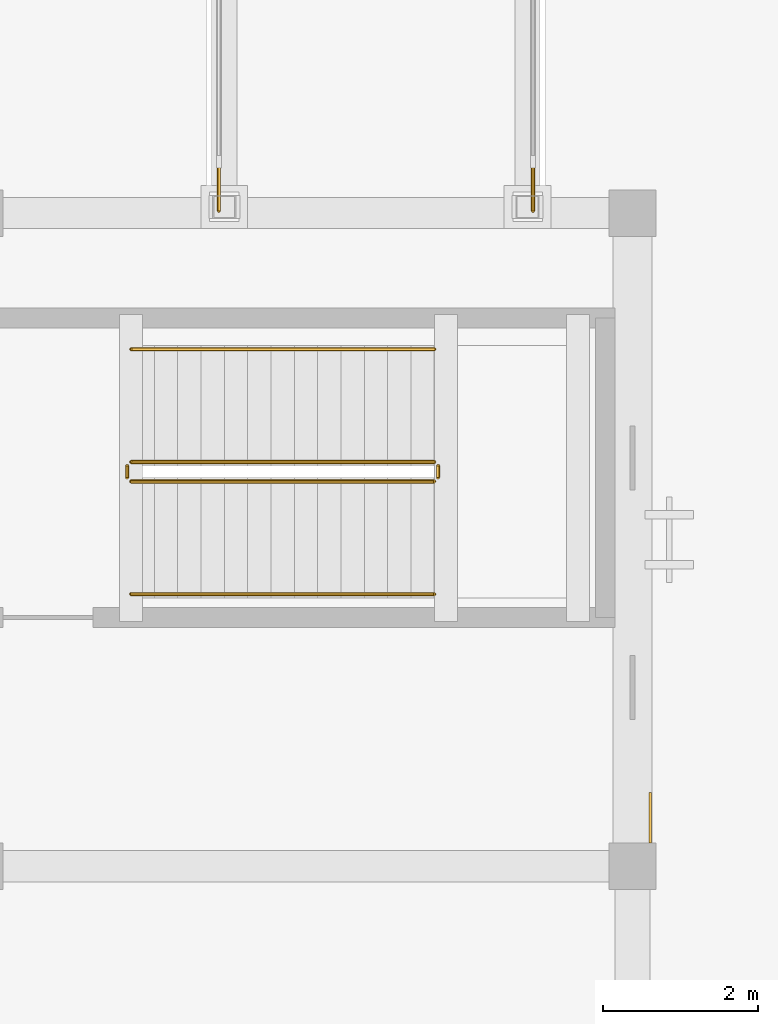
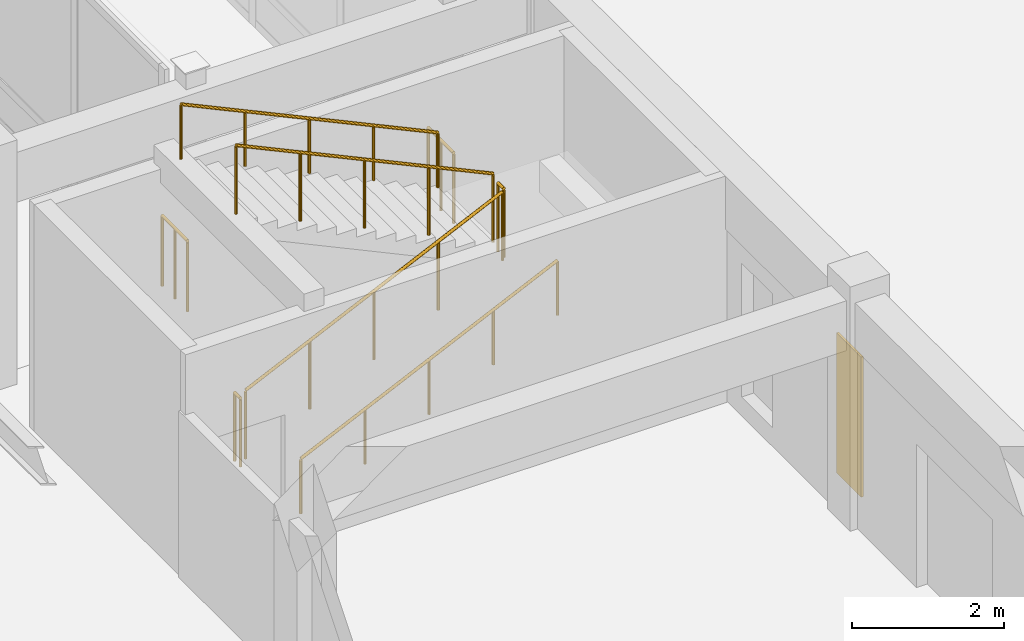
# One storey, part 112 of 135: 8 railings, 1 covering.
"""IFC4 building model written with IfcOpenShell, lengths in metres."""

from ifc_helpers import new_model, si_unit, direction, frame, origin, origin_2d, place, context, subcontext, project, spatial, polyline, circle, outline, extrude, material, layer, layer_set, type_object, element, save


model = new_model("IFC4")

# Units and contexts
model_context = context("Model", 3, precision=1e-05, world=origin(), true_north=direction((0.0, 1.0)))
body_context = subcontext(model_context, "Body", "Model", "MODEL_VIEW")
ifc_project = project(units=[si_unit("LENGTHUNIT", "METRE"), si_unit("AREAUNIT", "SQUARE_METRE"), si_unit("VOLUMEUNIT", "CUBIC_METRE"), si_unit("PLANEANGLEUNIT", "RADIAN"), si_unit("MASSUNIT", "GRAM", prefix="KILO")], contexts=[model_context])

# Site, building, storey
site_placement = place(None, origin())
site = spatial("IfcSite", under=ifc_project, at=site_placement, CompositionType="ELEMENT")
building_placement = place(site_placement, origin())
building = spatial("IfcBuilding", under=site, at=building_placement, Name="Cumbredor Promenade Congress Hotel", CompositionType="ELEMENT")
storey_placement = place(building_placement, origin())
storey = spatial("IfcBuildingStorey", under=building, at=storey_placement, Name="L00", CompositionType="ELEMENT", Elevation=0.0)

# Railings
ifc_material_1 = material(Name="Brushed stainless steel", Category="steel")
railing_type_1 = type_object("IfcRailingType", Name="Interior Void & Stair Guardrail GR-1100", PredefinedType="GUARDRAIL", material=ifc_material_1)
railing_1_placement = place(storey_placement, frame((102.75, 46.949951171875, 0.139892578125)))
element("IfcRailing", 1, at=railing_1_placement, inside=storey, type_object=railing_type_1, Name="L00 ST-12 stair guard 1", PredefinedType="GUARDRAIL", context=body_context, shape_type="SweptSolid", body=[
    extrude(circle(Radius=0.02392578125, at=origin_2d()), frame((0.0, 0.0, 1.09619140625), z_axis=(0.906172994947, 0.0, 0.42290720404), x_axis=(0.0, 1.0, 0.0)), (0.0, 0.0, 1.0), 4.3037109375),
    extrude(circle(Radius=0.02099609375, at=origin_2d()), origin(), (0.0, 0.0, 1.0), 1.072021484375),
    extrude(circle(Radius=0.02099609375, at=origin_2d()), frame((0.97509765625, 0.0, 0.455078125)), (0.0, 0.0, 1.0), 1.072021484375),
    extrude(circle(Radius=0.02099609375, at=origin_2d()), frame((1.949951171875, 0.0, 0.91015625)), (0.0, 0.0, 1.0), 1.072021484375),
    extrude(circle(Radius=0.02099609375, at=origin_2d()), frame((2.9248046875, 0.0, 1.364990234375)), (0.0, 0.0, 1.0), 1.072021484375),
    extrude(circle(Radius=0.02099609375, at=origin_2d()), frame((3.89990234375, 0.0, 1.820068359375)), (0.0, 0.0, 1.0), 1.072021484375),
])
railing_2_placement = place(storey_placement, frame((106.699951171875, 47.0, 1.9599609375)))
element("IfcRailing", 2, at=railing_2_placement, inside=storey, type_object=railing_type_1, Name="L00 ST-12 stair guard 2", PredefinedType="GUARDRAIL", context=body_context, shape_type="SweptSolid", body=[
    extrude(circle(Radius=0.02392578125, at=origin_2d()), frame((0.0, 0.0, 1.09619140625), z_axis=(0.0, 1.0, 0.0), x_axis=(-1.0, 0.0, 0.0)), (0.0, 0.0, 1.0), 0.14990234375),
    extrude(circle(Radius=0.02099609375, at=origin_2d()), origin(), (0.0, 0.0, 1.0), 1.072021484375),
    extrude(circle(Radius=0.02099609375, at=origin_2d()), frame((0.0, 0.14990234375, 0.0)), (0.0, 0.0, 1.0), 1.072021484375),
])
railing_3_placement = place(storey_placement, frame((106.64990234375, 47.199951171875, 2.10009765625)))
element("IfcRailing", 3, at=railing_3_placement, inside=storey, type_object=railing_type_1, Name="L00 ST-12 stair guard 3", PredefinedType="GUARDRAIL", context=body_context, shape_type="SweptSolid", body=[
    extrude(circle(Radius=0.02392578125, at=origin_2d()), frame((0.0, 0.0, 1.09619140625), z_axis=(-0.906194733976, 0.0, 0.422860620199), x_axis=(0.0, -1.0, 0.0)), (0.0, 0.0, 1.0), 4.3037109375),
    extrude(circle(Radius=0.02099609375, at=origin_2d()), origin(), (0.0, 0.0, 1.0), 1.072021484375),
    extrude(circle(Radius=0.02099609375, at=origin_2d()), frame((-0.97509765625, 0.0, 0.455078125)), (0.0, 0.0, 1.0), 1.072021484375),
    extrude(circle(Radius=0.02099609375, at=origin_2d()), frame((-1.949951171875, 0.0, 0.909912109375)), (0.0, 0.0, 1.0), 1.072021484375),
    extrude(circle(Radius=0.02099609375, at=origin_2d()), frame((-2.9248046875, 0.0, 1.36474609375)), (0.0, 0.0, 1.0), 1.072021484375),
    extrude(circle(Radius=0.02099609375, at=origin_2d()), frame((-3.89990234375, 0.0, 1.81982421875)), (0.0, 0.0, 1.0), 1.072021484375),
])
railing_4_placement = place(storey_placement, frame((102.699951171875, 47.0, 0.0)))
element("IfcRailing", 4, at=railing_4_placement, inside=storey, type_object=railing_type_1, Name="L00 ST-12 stair guard 4", PredefinedType="GUARDRAIL", context=body_context, shape_type="SweptSolid", body=[
    extrude(circle(Radius=0.02392578125, at=origin_2d()), frame((0.0, 0.0, 1.09619140625), z_axis=(0.0, 1.0, 0.0), x_axis=(-1.0, 0.0, 0.0)), (0.0, 0.0, 1.0), 0.14990234375),
    extrude(circle(Radius=0.02099609375, at=origin_2d()), origin(), (0.0, 0.0, 1.0), 1.072021484375),
    extrude(circle(Radius=0.02099609375, at=origin_2d()), frame((0.0, 0.14990234375, 0.0)), (0.0, 0.0, 1.0), 1.072021484375),
])
railing_type_2 = type_object("IfcRailingType", Name="Sky Garden Glass-and-Steel Balustrade BAL-1150", PredefinedType="BALUSTRADE", material=ifc_material_1)
for number, where, name in (
    (5, (103.8798828125, 50.429931640625, 0.0), "L00 Central Reflecting-Pool Promenade Bridge End Guardrail SW"),
    (6, (107.919921875, 50.429931640625, 0.0), "L00 Central Reflecting-Pool Promenade Bridge End Guardrail SE"),
):
    element("IfcRailing", number, at=place(storey_placement, frame(where)), inside=storey, type_object=railing_type_2, Name=name, PredefinedType="BALUSTRADE", context=body_context, shape_type="SweptSolid", body=[
        extrude(circle(Radius=0.02392578125, at=origin_2d()), frame((0.0, 0.0, 1.1259765625), z_axis=(0.0, 1.0, 0.0), x_axis=(-1.0, 0.0, 0.0)), (0.0, 0.0, 1.0), 0.670166015625),
        extrude(circle(Radius=0.02099609375, at=origin_2d()), origin(), (0.0, 0.0, 1.0), 1.101806640625),
        extrude(circle(Radius=0.02099609375, at=origin_2d()), frame((0.0, 0.3349609375, 0.0)), (0.0, 0.0, 1.0), 1.101806640625),
        extrude(circle(Radius=0.02099609375, at=origin_2d()), frame((0.0, 0.670166015625, 0.0)), (0.0, 0.0, 1.0), 1.101806640625),
    ])
railing_type_3 = type_object("IfcRailingType", Name="Stair Pitch Handrail HR-900", PredefinedType="HANDRAIL", material=ifc_material_1)
railing_5_placement = place(storey_placement, frame((102.75, 45.5, 0.139892578125)))
element("IfcRailing", 7, at=railing_5_placement, inside=storey, type_object=railing_type_3, Name="L00 ST-12 stair handrail 1", PredefinedType="HANDRAIL", context=body_context, shape_type="SweptSolid", body=[
    extrude(circle(Radius=0.02392578125, at=origin_2d()), frame((0.0, 0.0, 0.8759765625), z_axis=(0.906172994947, 0.0, 0.42290720404), x_axis=(0.0, 1.0, 0.0)), (0.0, 0.0, 1.0), 4.3037109375),
    extrude(circle(Radius=0.02099609375, at=origin_2d()), origin(), (0.0, 0.0, 1.0), 0.851806640625),
    extrude(circle(Radius=0.02099609375, at=origin_2d()), frame((0.97509765625, 0.0, 0.455078125)), (0.0, 0.0, 1.0), 0.851806640625),
    extrude(circle(Radius=0.02099609375, at=origin_2d()), frame((1.949951171875, 0.0, 0.91015625)), (0.0, 0.0, 1.0), 0.851806640625),
    extrude(circle(Radius=0.02099609375, at=origin_2d()), frame((2.9248046875, 0.0, 1.364990234375)), (0.0, 0.0, 1.0), 0.851806640625),
    extrude(circle(Radius=0.02099609375, at=origin_2d()), frame((3.89990234375, 0.0, 1.820068359375)), (0.0, 0.0, 1.0), 0.851806640625),
])
railing_6_placement = place(storey_placement, frame((106.64990234375, 48.64990234375, 2.10009765625)))
element("IfcRailing", 8, at=railing_6_placement, inside=storey, type_object=railing_type_3, Name="L00 ST-12 stair handrail 2", PredefinedType="HANDRAIL", context=body_context, shape_type="SweptSolid", body=[
    extrude(circle(Radius=0.02392578125, at=origin_2d()), frame((0.0, 0.0, 0.8759765625), z_axis=(-0.906194733976, 0.0, 0.422860620199), x_axis=(0.0, -1.0, 0.0)), (0.0, 0.0, 1.0), 4.3037109375),
    extrude(circle(Radius=0.02099609375, at=origin_2d()), origin(), (0.0, 0.0, 1.0), 0.851806640625),
    extrude(circle(Radius=0.02099609375, at=origin_2d()), frame((-0.97509765625, 0.0, 0.455078125)), (0.0, 0.0, 1.0), 0.851806640625),
    extrude(circle(Radius=0.02099609375, at=origin_2d()), frame((-1.949951171875, 0.0, 0.909912109375)), (0.0, 0.0, 1.0), 0.851806640625),
    extrude(circle(Radius=0.02099609375, at=origin_2d()), frame((-2.9248046875, 0.0, 1.36474609375)), (0.0, 0.0, 1.0), 0.851806640625),
    extrude(circle(Radius=0.02099609375, at=origin_2d()), frame((-3.89990234375, 0.0, 1.81982421875)), (0.0, 0.0, 1.0), 0.851806640625),
])

# Covering
ifc_material_2 = material(Name="Volcanic andesite ashlar cladding", Category="masonry")
ifc_layer = layer(ifc_material_2, 0.034912109375, Name="Volcanic andesite ashlar cladding", Category="masonry")
ifc_layer_set = layer_set([ifc_layer], Name="Volcanic andesite ashlar cladding")
covering_type = type_object("IfcCoveringType", Name="Volcanic Andesite Ashlar Rainscreen Cladding 35mm", PredefinedType="CLADDING", material=ifc_layer_set)
covering_placement = place(storey_placement, origin())
element("IfcCovering", 9, at=covering_placement, inside=storey, type_object=covering_type, Name="L00 Facade Stone Cladding Pier 025", PredefinedType="CLADDING", context=body_context, shape_type="SweptSolid", body=[
    extrude(outline(polyline([(109.41259765625, 42.301025390625), (109.41259765625, 42.950927734375), (109.447509765625, 42.950927734375), (109.447509765625, 42.301025390625), (109.41259765625, 42.301025390625)])), origin(), (0.0, 0.0, 1.0), 2.25),
])

save(model, "model.ifc")
